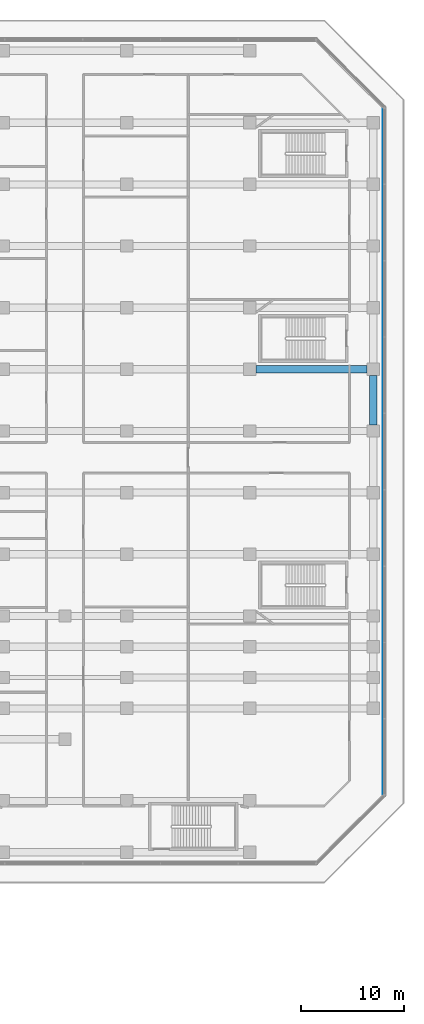
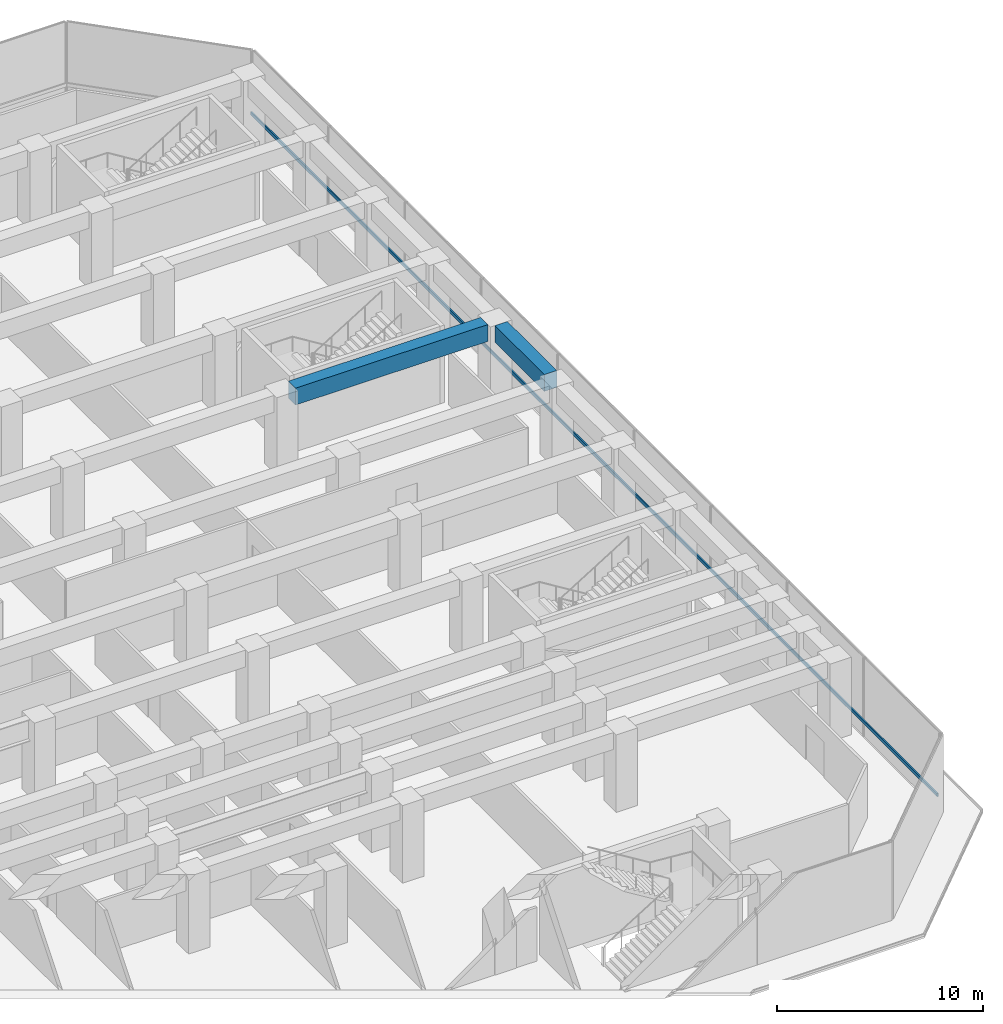
# One storey, part 15 of 40: 2 beams, 1 member, 1 element without a shape of its own.
"""IFC4 building model written with IfcOpenShell, lengths in metres."""

import ifcopenshell
import ifcopenshell.guid

model = None  # the IFC model being written
_history = None  # IfcOwnerHistory: only IFC2X3 demands one
_inside = {}  # id of a spatial element -> (the spatial element, [elements in it])
_under = {}  # id of a project, library or spatial element -> (it, [spatial elements below it])
_declared = {}  # id of a project -> (the project, [libraries it declares])
_typed = {}  # id of a type object -> (the type object, [elements of that type])
_made_of = {}  # id of a material, layer set ... -> (it, [elements and type objects made of it])


def new_model(schema):
    """Start an empty IFC model of exactly this schema.

    Asked for "IFC4X3", IfcOpenShell would pick the latest addendum, in which some entities
    have other attributes; the version numbers below select the first issue.
    IFC2X3 requires an IfcOwnerHistory on every rooted entity: one is made here for all.
    """
    global model, _history
    if schema == "IFC4X3":
        model = ifcopenshell.file(schema_version=(4, 3, 0, 0))
    else:
        model = ifcopenshell.file(schema=schema)
    _inside.clear()
    _under.clear()
    _declared.clear()
    _typed.clear()
    _made_of.clear()
    _history = None
    if model.schema == "IFC2X3":
        org = make("IfcOrganization", Name="unknown")
        user = make(
            "IfcPersonAndOrganization",
            ThePerson=make("IfcPerson", FamilyName="unknown"),
            TheOrganization=org,
        )
        app = make(
            "IfcApplication",
            ApplicationDeveloper=org,
            Version="unknown",
            ApplicationFullName="unknown",
            ApplicationIdentifier="unknown",
        )
        _history = make(
            "IfcOwnerHistory",
            OwningUser=user,
            OwningApplication=app,
            ChangeAction="ADDED",
            CreationDate=0,
        )
    return model


def make(cls, **values):
    """One entity of the class cls with the attributes given. An attribute that is None is left unset."""
    return model.create_entity(
        cls, **{name: value for name, value in values.items() if value is not None}
    )


def rooted(cls, **values):
    """An entity with a GlobalId (a new one), such as an element, a storey or a relation."""
    return make(cls, GlobalId=ifcopenshell.guid.new(), OwnerHistory=_history, **values)


def si_unit(unit_type, name, prefix=None):
    """IfcSIUnit, for example si_unit("LENGTHUNIT", "METRE", prefix="MILLI")."""
    return make("IfcSIUnit", UnitType=unit_type, Prefix=prefix, Name=name)


def assignment(units):
    """IfcUnitAssignment: the units of a project."""
    return None if units is None else make("IfcUnitAssignment", Units=units)


def point(xyz):
    """IfcCartesianPoint."""
    return None if xyz is None else make("IfcCartesianPoint", Coordinates=xyz)


def direction(xyz):
    """IfcDirection."""
    return None if xyz is None else make("IfcDirection", DirectionRatios=xyz)


def frame(location, z_axis=None, x_axis=None):
    """IfcAxis2Placement3D, a coordinate frame: its origin and axes. An axis left out is left unset."""
    return make(
        "IfcAxis2Placement3D",
        Location=point(location),
        Axis=direction(z_axis),
        RefDirection=direction(x_axis),
    )


def frame_2d(location, x_axis=None):
    """IfcAxis2Placement2D, a coordinate frame in the plane: its origin and x axis."""
    return make(
        "IfcAxis2Placement2D", Location=point(location), RefDirection=direction(x_axis)
    )


def origin():
    """The frame at (0, 0, 0) with its axes left unset."""
    return frame((0.0, 0.0, 0.0))


def origin_2d():
    """The frame at (0, 0) in the plane with its x axis left unset."""
    return frame_2d((0.0, 0.0))


def place(relative_to, where):
    """IfcLocalPlacement: puts the frame where relative to a parent placement (None: the world)."""
    return make(
        "IfcLocalPlacement", PlacementRelTo=relative_to, RelativePlacement=where
    )


def context(
    kind, dimensions, precision=None, world=None, true_north=None, identifier=None
):
    """IfcGeometricRepresentationContext, for example the 3D "Model" context."""
    return make(
        "IfcGeometricRepresentationContext",
        ContextIdentifier=identifier,
        ContextType=kind,
        CoordinateSpaceDimension=dimensions,
        Precision=precision,
        WorldCoordinateSystem=world,
        TrueNorth=true_north,
    )


def subcontext(parent, identifier, kind, view, scale=None):
    """IfcGeometricRepresentationSubContext, for example "Body" below "Model"."""
    return make(
        "IfcGeometricRepresentationSubContext",
        ContextIdentifier=identifier,
        ContextType=kind,
        ParentContext=parent,
        TargetScale=scale,
        TargetView=view,
    )


def project(units=None, contexts=None):
    """IfcProject with its units and contexts."""
    return rooted(
        "IfcProject",
        Name="project",
        RepresentationContexts=contexts,
        UnitsInContext=assignment(units),
    )


def spatial(cls, under=None, at=None, **own):
    """A site, building, storey or space (cls), placed at a placement, below another one or the project."""
    s = rooted(cls, ObjectPlacement=at, **own)
    if under is not None:
        _under.setdefault(under.id(), (under, []))[1].append(s)
    return s


def profile(cls, at=None, kind="AREA", **sizes):
    """A parametric profile (cls). Its sizes go by their IFC names, for example OverallWidth=200.0."""
    return make(cls, ProfileType=kind, Position=at, **sizes)


def rectangle(**sizes):
    """IfcRectangleProfileDef."""
    return profile("IfcRectangleProfileDef", **sizes)


def extrude(swept, where, along, depth):
    """IfcExtrudedAreaSolid: the profile swept, set in the frame where, extruded along a direction by depth."""
    return make(
        "IfcExtrudedAreaSolid",
        SweptArea=swept,
        Position=where,
        ExtrudedDirection=direction(along),
        Depth=depth,
    )


def shape(context_of_items, identifier, shape_type, items):
    """IfcShapeRepresentation: the items that make up one representation, for example the "Body"."""
    return make(
        "IfcShapeRepresentation",
        ContextOfItems=context_of_items,
        RepresentationIdentifier=identifier,
        RepresentationType=shape_type,
        Items=items,
    )


def material(Name=None, Category=None):
    """IfcMaterial."""
    return make("IfcMaterial", Name=Name, Category=Category)


def layer(
    of_material, thickness, ventilated=None, Name=None, Category=None, Priority=None
):
    """IfcMaterialLayer: one layer of a wall or slab, of a material (None: an air gap)."""
    return make(
        "IfcMaterialLayer",
        Material=of_material,
        LayerThickness=thickness,
        IsVentilated=ventilated,
        Name=Name,
        Category=Category,
        Priority=Priority,
    )


def layer_set(layers, Name=None):
    """IfcMaterialLayerSet."""
    return make("IfcMaterialLayerSet", MaterialLayers=layers, LayerSetName=Name)


def material_profile(
    of_material, cross_section, Name=None, Category=None, Priority=None
):
    """IfcMaterialProfile: a cross section and its material."""
    return make(
        "IfcMaterialProfile",
        Name=Name,
        Material=of_material,
        Profile=cross_section,
        Priority=Priority,
        Category=Category,
    )


def profile_set(profiles, Name=None, composite=None):
    """IfcMaterialProfileSet."""
    return make(
        "IfcMaterialProfileSet",
        Name=Name,
        MaterialProfiles=profiles,
        CompositeProfile=composite,
    )


def made_of(thing, what):
    """Note that an element or type object is made of a material, layer set ...; save() writes the relation."""
    if what is not None:
        _made_of.setdefault(what.id(), (what, []))[1].append(thing)
    return thing


def type_object(cls, material=None, **own):
    """A type object (cls), such as IfcWallType, which elements share."""
    return made_of(rooted(cls, **own), material)


def element(
    cls,
    number,
    at=None,
    inside=None,
    cuts=None,
    type_object=None,
    material=None,
    context=None,
    identifier="Body",
    shape_type=None,
    held_by="IfcProductDefinitionShape",
    body=None,
    shapes=None,
    **own,
):
    """One element of the class cls, such as IfcWall. Its Tag is "e" and its number.

    at: its placement. inside: the storey or other place that contains it. cuts: it is an
    opening in that element (IfcRelVoidsElement). A single representation is given by context,
    identifier, shape_type and body (its items); several are given by shapes. held_by: the class
    of the entity that holds the representations. save() writes the other relations.
    """
    e = rooted(cls, Tag="e%d" % number, ObjectPlacement=at, **own)
    if body is not None:
        shapes = [shape(context, identifier, shape_type, body)]
    if shapes is not None:
        e.Representation = make(held_by, Representations=shapes)
    if inside is not None:
        _inside.setdefault(inside.id(), (inside, []))[1].append(e)
    if cuts is not None:
        rooted(
            "IfcRelVoidsElement", RelatingBuildingElement=cuts, RelatedOpeningElement=e
        )
    if type_object is not None:
        _typed.setdefault(type_object.id(), (type_object, []))[1].append(e)
    return made_of(e, material)


def aggregate(whole, parts):
    """IfcRelAggregates: a whole, such as a stair, and the parts it consists of."""
    return rooted("IfcRelAggregates", RelatingObject=whole, RelatedObjects=parts)


def save(model, path):
    """Write the relations noted so far, then the file.

    IfcRelAggregates (storeys below a building ...), IfcRelContainedInSpatialStructure (elements
    in a storey), IfcRelDefinesByType, IfcRelAssociatesMaterial and IfcRelDeclares: one each for
    every whole, place, type object, material and project.
    """
    for whole, parts in _under.values():
        aggregate(whole, parts)
    for where, things in _inside.values():
        rooted(
            "IfcRelContainedInSpatialStructure",
            RelatedElements=things,
            RelatingStructure=where,
        )
    for kind, things in _typed.values():
        rooted("IfcRelDefinesByType", RelatedObjects=things, RelatingType=kind)
    for what, things in _made_of.values():
        rooted("IfcRelAssociatesMaterial", RelatedObjects=things, RelatingMaterial=what)
    for by, libraries in _declared.values():
        rooted("IfcRelDeclares", RelatingContext=by, RelatedDefinitions=libraries)
    model.write(path)


model = new_model("IFC4")

# Units and contexts
model_context = context("Model", 3, precision=1e-05, world=origin(), true_north=direction((0.0, 1.0)))
body_context = subcontext(model_context, "Body", "Model", "MODEL_VIEW")
ifc_project = project(units=[si_unit("LENGTHUNIT", "METRE"), si_unit("AREAUNIT", "SQUARE_METRE"), si_unit("VOLUMEUNIT", "CUBIC_METRE"), si_unit("PLANEANGLEUNIT", "RADIAN"), si_unit("MASSUNIT", "GRAM", prefix="KILO")], contexts=[model_context])

# Site, building, storey
site_placement = place(None, origin())
site = spatial("IfcSite", under=ifc_project, at=site_placement, CompositionType="ELEMENT")
building_placement = place(site_placement, origin())
building = spatial("IfcBuilding", under=site, at=building_placement, Name="Welwitschia Terrace Campus", CompositionType="ELEMENT")
storey_placement = place(building_placement, frame((0.0, 0.0, 6.0)))
storey = spatial("IfcBuildingStorey", under=building, at=storey_placement, Name="L01", CompositionType="ELEMENT", Elevation=6.0)

# Beams
ifc_material_1 = material(Name="Concrete C60/75", Category="concrete")
ifc_material_profile_1 = material_profile(ifc_material_1, rectangle(XDim=0.699951171875, YDim=1.0, at=origin_2d()))
ifc_profile_set_1 = profile_set([ifc_material_profile_1], Name="Concrete C60/75")
beam_type = type_object("IfcBeamType", Name="Base block beam 700x1000", PredefinedType="BEAM", material=ifc_profile_set_1)
beam_1_placement = place(storey_placement, frame((84.6005859375, 38.0, 4.10009765625), z_axis=(1.0, 0.0, 0.0), x_axis=(0.0, 1.0, 0.0)))
element("IfcBeam", 1, at=beam_1_placement, inside=storey, type_object=beam_type, Name="Beam BB1", PredefinedType="BEAM", context=body_context, shape_type="SweptSolid", body=[
    extrude(rectangle(XDim=0.699951171875, YDim=1.0, at=origin_2d()), origin(), (0.0, 0.0, 1.0), 10.798828125),
])
beam_2_placement = place(storey_placement, frame((96.0, 32.6005859375, 4.10009765625), z_axis=(0.0, 1.0, 0.0), x_axis=(-1.0, 0.0, 0.0)))
element("IfcBeam", 2, at=beam_2_placement, inside=storey, type_object=beam_type, Name="Beam BB1", PredefinedType="BEAM", context=body_context, shape_type="SweptSolid", body=[
    extrude(rectangle(XDim=0.699951171875, YDim=1.0, at=origin_2d()), origin(), (0.0, 0.0, 1.0), 4.798828125),
])

# Curtain wall, member
ifc_material_2 = material(Name="Bronze anodised aluminium", Category="aluminium")
ifc_layer = layer(ifc_material_2, 0.14990234375)
ifc_layer_set = layer_set([ifc_layer], Name="Bronze anodised aluminium")
curtain_wall_type = type_object("IfcCurtainWallType", Name="Curtain wall CW1 podium 7500", PredefinedType="NOTDEFINED", material=ifc_layer_set)
curtain_wall_placement = place(storey_placement, origin())
curtain_wall = element("IfcCurtainWall", 3, at=curtain_wall_placement, inside=storey, type_object=curtain_wall_type, Name="CW L01.2.0", PredefinedType="NOTDEFINED")
ifc_material_3 = material(Name="Bronze anodised aluminium", Category="aluminium")
ifc_material_profile_2 = material_profile(ifc_material_3, rectangle(XDim=0.080078125, YDim=0.199951171875, at=origin_2d()))
ifc_profile_set_2 = profile_set([ifc_material_profile_2], Name="Bronze anodised aluminium")
member_type = type_object("IfcMemberType", Name="Transom 80x200", PredefinedType="USERDEFINED", material=ifc_profile_set_2)
member_placement = place(storey_placement, frame((96.969970703125, -3.369384765625, 1.0), z_axis=(0.0, 1.0, 0.0), x_axis=(-1.0, 0.0, 0.0)))
member = element("IfcMember", 4, at=member_placement, type_object=member_type, Name="Transom L01.2.0", ObjectType="TRANSOM", PredefinedType="USERDEFINED", context=body_context, shape_type="SweptSolid", body=[
    extrude(rectangle(XDim=0.080078125, YDim=0.199951171875, at=origin_2d()), origin(), (0.0, 0.0, 1.0), 66.73876953125),
])
aggregate(curtain_wall, [member])

save(model, "model.ifc")
